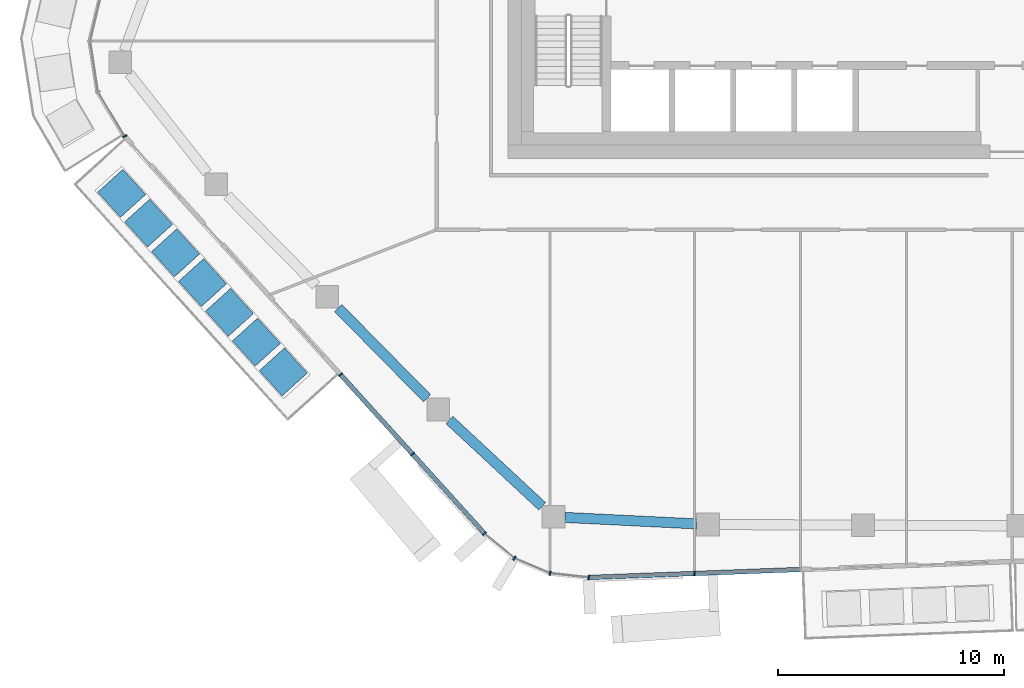
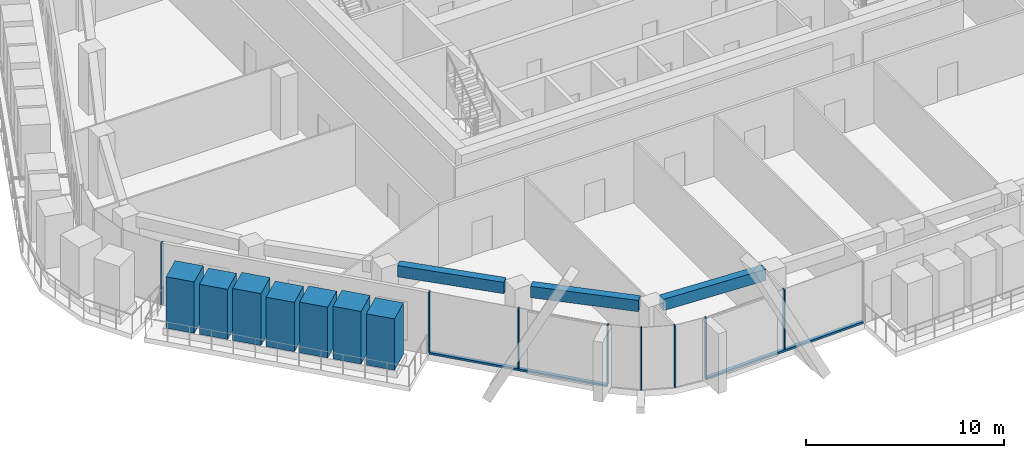
# One storey, part 2 of 24: 17 members, 3 beams, 4 elements without a shape of their own.
"""IFC4 building model written with IfcOpenShell, lengths in metres."""

from ifc_helpers import new_model, si_unit, direction, frame, origin, origin_2d, place, context, subcontext, project, spatial, rectangle, extrude, material, layer, layer_set, material_profile, profile_set, type_object, element, aggregate, save


model = new_model("IFC4")

# Units and contexts
model_context = context("Model", 3, precision=1e-05, world=origin(), true_north=direction((0.0, 1.0)))
body_context = subcontext(model_context, "Body", "Model", "MODEL_VIEW")
ifc_project = project(units=[si_unit("LENGTHUNIT", "METRE"), si_unit("AREAUNIT", "SQUARE_METRE"), si_unit("VOLUMEUNIT", "CUBIC_METRE"), si_unit("PLANEANGLEUNIT", "RADIAN"), si_unit("MASSUNIT", "GRAM", prefix="KILO")], contexts=[model_context])

# Site, building, storey
site_placement = place(None, origin())
site = spatial("IfcSite", under=ifc_project, at=site_placement, CompositionType="ELEMENT")
building_placement = place(site_placement, origin())
building = spatial("IfcBuilding", under=site, at=building_placement, Name="Dongbaek Canopy Tower", CompositionType="ELEMENT")
storey_placement = place(building_placement, frame((0.0, 0.0, 311.0)))
storey = spatial("IfcBuildingStorey", under=building, at=storey_placement, Name="L66", CompositionType="ELEMENT", Elevation=311.0)

# Curtain wall, member
ifc_material_1 = material(Name="Aluminium 6063-T6 pale anodised", Category="aluminium")
ifc_layer = layer(ifc_material_1, 0.199951171875)
ifc_layer_set = layer_set([ifc_layer], Name="CW-1 unitised tower curtain wall")
curtain_wall_type = type_object("IfcCurtainWallType", Name="CW-1 unitised tower curtain wall", PredefinedType="NOTDEFINED", material=ifc_layer_set)
curtain_wall_1_placement = place(storey_placement, origin())
curtain_wall_1 = element("IfcCurtainWall", 1, at=curtain_wall_1_placement, inside=storey, type_object=curtain_wall_type, Name="CW-1 curtain wall K3.1", PredefinedType="NOTDEFINED")
ifc_material_2 = material(Name="Aluminium 6063-T6 pale anodised", Category="aluminium")
ifc_material_profile_1 = material_profile(ifc_material_2, rectangle(XDim=0.199951171875, YDim=0.06005859375, at=origin_2d()), Name="CW-1 mullion 60 x 200")
ifc_profile_set_1 = profile_set([ifc_material_profile_1], Name="Aluminium 6063-T6 pale anodised")
member_type_1 = type_object("IfcMemberType", Name="CW-1 mullion 60 x 200", PredefinedType="MULLION", material=ifc_profile_set_1)
member_1_placement = place(storey_placement, frame((-30.925537109375, -10.022705078125, 0.0), z_axis=(0.0, 0.0, 1.0), x_axis=(-0.856801523031, -0.51564634211, 0.0)))
member_1 = element("IfcMember", 2, at=member_1_placement, type_object=member_type_1, Name="CW-1 mullion K3.1.4", PredefinedType="MULLION", context=body_context, shape_type="SweptSolid", body=[
    extrude(rectangle(XDim=0.199951171875, YDim=0.06005859375, at=origin_2d()), origin(), (0.0, 0.0, 1.0), 3.820068359375),
])
aggregate(curtain_wall_1, [member_1])

# Curtain wall, members
curtain_wall_2_placement = place(storey_placement, origin())
curtain_wall_2 = element("IfcCurtainWall", 3, at=curtain_wall_2_placement, inside=storey, type_object=curtain_wall_type, Name="CW-1 curtain wall F3.1", PredefinedType="NOTDEFINED")
member_2_placement = place(storey_placement, frame((-21.392822265625, -20.550048828125, 0.1201171875), z_axis=(0.0, 0.0, 1.0), x_axis=(-0.741254096478, -0.671224526112, 0.0)))
member_2 = element("IfcMember", 4, at=member_2_placement, type_object=member_type_1, Name="CW-1 mullion F3.1.1", PredefinedType="MULLION", context=body_context, shape_type="SweptSolid", body=[
    extrude(rectangle(XDim=0.199951171875, YDim=0.06005859375, at=origin_2d()), origin(), (0.0, 0.0, 1.0), 3.699951171875),
])
member_3_placement = place(storey_placement, frame((-18.213134765625, -24.0615234375, 0.1201171875), z_axis=(0.0, 0.0, 1.0), x_axis=(-0.741254096478, -0.671224526112, 0.0)))
member_3 = element("IfcMember", 5, at=member_3_placement, type_object=member_type_1, Name="CW-1 mullion F3.1.2", PredefinedType="MULLION", context=body_context, shape_type="SweptSolid", body=[
    extrude(rectangle(XDim=0.199951171875, YDim=0.06005859375, at=origin_2d()), origin(), (0.0, 0.0, 1.0), 3.699951171875),
])
member_4_placement = place(storey_placement, frame((-15.038330078125, -27.567626953125, 0.1201171875), z_axis=(0.0, 0.0, 1.0), x_axis=(-0.741254096478, -0.671224526112, 0.0)))
member_4 = element("IfcMember", 6, at=member_4_placement, type_object=member_type_1, Name="CW-1 mullion F3.1.3", PredefinedType="MULLION", context=body_context, shape_type="SweptSolid", body=[
    extrude(rectangle(XDim=0.199951171875, YDim=0.06005859375, at=origin_2d()), origin(), (0.0, 0.0, 1.0), 3.699951171875),
])

curtain_wall_3_placement = place(storey_placement, origin())
curtain_wall_3 = element("IfcCurtainWall", 7, at=curtain_wall_3_placement, inside=storey, type_object=curtain_wall_type, Name="CW-1 curtain wall K4.1", PredefinedType="NOTDEFINED")
member_5_placement = place(storey_placement, frame((-13.71337890625, -28.66015625, 0.0), z_axis=(0.0, 0.0, 1.0), x_axis=(-0.517606246917, -0.855618941558, 0.0)))
member_5 = element("IfcMember", 8, at=member_5_placement, type_object=member_type_1, Name="CW-1 mullion K4.1.2", PredefinedType="MULLION", context=body_context, shape_type="SweptSolid", body=[
    extrude(rectangle(XDim=0.199951171875, YDim=0.06005859375, at=origin_2d()), origin(), (0.0, 0.0, 1.0), 3.820068359375),
])
member_6_placement = place(storey_placement, frame((-12.137451171875, -29.32373046875, 0.0), z_axis=(0.0, 0.0, 1.0), x_axis=(-0.25046929591, -0.968124543541, 0.0)))
member_6 = element("IfcMember", 9, at=member_6_placement, type_object=member_type_1, Name="CW-1 mullion K4.1.3", PredefinedType="MULLION", context=body_context, shape_type="SweptSolid", body=[
    extrude(rectangle(XDim=0.199951171875, YDim=0.06005859375, at=origin_2d()), origin(), (0.0, 0.0, 1.0), 3.820068359375),
])
member_7_placement = place(storey_placement, frame((-10.43017578125, -29.50830078125, 0.0), z_axis=(0.0, 0.0, 1.0), x_axis=(-0.107513799439, -0.994203592294, 0.0)))
member_7 = element("IfcMember", 10, at=member_7_placement, type_object=member_type_1, Name="CW-1 mullion K4.1.4", PredefinedType="MULLION", context=body_context, shape_type="SweptSolid", body=[
    extrude(rectangle(XDim=0.199951171875, YDim=0.06005859375, at=origin_2d()), origin(), (0.0, 0.0, 1.0), 3.820068359375),
])
aggregate(curtain_wall_3, [member_5, member_6, member_7])

# Curtain wall, member
curtain_wall_4_placement = place(storey_placement, origin())
curtain_wall_4 = element("IfcCurtainWall", 11, at=curtain_wall_4_placement, inside=storey, type_object=curtain_wall_type, Name="CW-1 curtain wall F4.1", PredefinedType="NOTDEFINED")
member_8_placement = place(storey_placement, frame((-5.75830078125, -29.33203125, 0.1201171875), z_axis=(0.0, 0.0, 1.0), x_axis=(0.037712000431, -0.999288649502, 0.0)))
member_8 = element("IfcMember", 12, at=member_8_placement, type_object=member_type_1, Name="CW-1 mullion F4.1.2", PredefinedType="MULLION", context=body_context, shape_type="SweptSolid", body=[
    extrude(rectangle(XDim=0.199951171875, YDim=0.06005859375, at=origin_2d()), origin(), (0.0, 0.0, 1.0), 3.699951171875),
])

# Member
ifc_material_3 = material(Name="Aluminium 6063-T6 pale anodised", Category="aluminium")
ifc_material_profile_2 = material_profile(ifc_material_3, rectangle(XDim=0.199951171875, YDim=0.1201171875, at=origin_2d()), Name="CW-1 transom 120 x 200")
ifc_profile_set_2 = profile_set([ifc_material_profile_2], Name="Aluminium 6063-T6 pale anodised")
member_type_2 = type_object("IfcMemberType", Name="CW-1 transom 120 x 200", PredefinedType="USERDEFINED", material=ifc_profile_set_2)
member_9_placement = place(storey_placement, frame((-21.392822265625, -20.550048828125, 0.06005859375), z_axis=(0.671218482557, -0.741259569027, 0.0), x_axis=(0.741259569027, 0.671218482557, 0.0)))
member_9 = element("IfcMember", 13, at=member_9_placement, type_object=member_type_2, Name="CW-1 transom F3.1.1", ObjectType="TRANSOM", PredefinedType="USERDEFINED", context=body_context, shape_type="SweptSolid", body=[
    extrude(rectangle(XDim=0.199951171875, YDim=0.1201171875, at=origin_2d()), origin(), (0.0, 0.0, 1.0), 9.467041015625),
])

aggregate(curtain_wall_2, [member_2, member_3, member_4, member_9])

member_10_placement = place(storey_placement, frame((-10.43017578125, -29.50830078125, 0.06005859375), z_axis=(0.999289151831, 0.037698687424, 0.0), x_axis=(-0.037698687424, 0.999289151831, 0.0)))
member_10 = element("IfcMember", 14, at=member_10_placement, type_object=member_type_2, Name="CW-1 transom F4.1.1", ObjectType="TRANSOM", PredefinedType="USERDEFINED", context=body_context, shape_type="SweptSolid", body=[
    extrude(rectangle(XDim=0.199951171875, YDim=0.1201171875, at=origin_2d()), origin(), (0.0, 0.0, 1.0), 9.35791015625),
])

aggregate(curtain_wall_4, [member_8, member_10])

# Beams
ifc_material_4 = material(Name="Concrete C60", Category="concrete")
ifc_material_profile_3 = material_profile(ifc_material_4, rectangle(XDim=0.449951171875, YDim=0.699951171875, at=origin_2d()), Name="RC EDGE BEAM 450x700 C60")
ifc_profile_set_3 = profile_set([ifc_material_profile_3], Name="Concrete C60")
beam_type = type_object("IfcBeamType", Name="RC EDGE BEAM 450x700 C60", PredefinedType="BEAM", material=ifc_profile_set_3)
beam_1_placement = place(storey_placement, frame((-5.666015625, -27.142333984375, 3.469970703125), z_axis=(-0.998789160621, 0.049195656579, 0.0), x_axis=(-0.049195656579, -0.998789160621, 0.0)))
element("IfcBeam", 15, at=beam_1_placement, inside=storey, type_object=beam_type, Name="EDGEBEAM:L66:03", PredefinedType="BEAM", context=body_context, shape_type="SweptSolid", body=[
    extrude(rectangle(XDim=0.449951171875, YDim=0.699951171875, at=origin_2d()), origin(), (0.0, 0.0, 1.0), 5.826171875),
])
beam_2_placement = place(storey_placement, frame((-12.485107421875, -26.365966796875, 3.469970703125), z_axis=(-0.732266655485, 0.681018021248, 0.0), x_axis=(-0.681018021248, -0.732266655485, 0.0)))
element("IfcBeam", 16, at=beam_2_placement, inside=storey, type_object=beam_type, Name="EDGEBEAM:L66:04", PredefinedType="BEAM", context=body_context, shape_type="SweptSolid", body=[
    extrude(rectangle(XDim=0.449951171875, YDim=0.699951171875, at=origin_2d()), origin(), (0.0, 0.0, 1.0), 5.597412109375),
])
beam_3_placement = place(storey_placement, frame((-17.576416015625, -21.589111328125, 3.469970703125), z_axis=(-0.701706740597, 0.712465894062, 0.0), x_axis=(-0.712465894062, -0.701706740597, 0.0)))
element("IfcBeam", 17, at=beam_3_placement, inside=storey, type_object=beam_type, Name="EDGEBEAM:L66:05", PredefinedType="BEAM", context=body_context, shape_type="SweptSolid", body=[
    extrude(rectangle(XDim=0.449951171875, YDim=0.699951171875, at=origin_2d()), origin(), (0.0, 0.0, 1.0), 5.58203125),
])

# Members
ifc_material_5 = material(Name="Concrete C40/50 planter mass with planting", Category="concrete")
ifc_material_profile_4 = material_profile(ifc_material_5, rectangle(XDim=1.5, YDim=1.5, at=origin_2d()), Name="Terrace PLANTER shrub mass 1500 x 1500")
ifc_profile_set_4 = profile_set([ifc_material_profile_4], Name="Concrete C40/50 planter mass with planting")
member_type_3 = type_object("IfcMemberType", Name="Terrace PLANTER shrub mass 1500 x 1500", PredefinedType="USERDEFINED", material=ifc_profile_set_4)
member_11_placement = place(storey_placement, frame((-31.059814453125, -12.541259765625, 0.419921875), z_axis=(0.0, 0.0, 1.0), x_axis=(-0.741254096478, -0.671224526112, 0.0)))
element("IfcMember", 18, at=member_11_placement, inside=storey, type_object=member_type_3, Name="Planter shrubs L66 3.1", ObjectType="PLANTER", PredefinedType="USERDEFINED", context=body_context, shape_type="SweptSolid", body=[
    extrude(rectangle(XDim=1.5, YDim=1.5, at=origin_2d()), origin(), (0.0, 0.0, 1.0), 3.170166015625),
])
member_12_placement = place(storey_placement, frame((-29.86962890625, -13.855712890625, 0.419921875), z_axis=(0.0, 0.0, 1.0), x_axis=(-0.741254096478, -0.671224526112, 0.0)))
element("IfcMember", 19, at=member_12_placement, inside=storey, type_object=member_type_3, Name="Planter shrubs L66 3.2", ObjectType="PLANTER", PredefinedType="USERDEFINED", context=body_context, shape_type="SweptSolid", body=[
    extrude(rectangle(XDim=1.5, YDim=1.5, at=origin_2d()), origin(), (0.0, 0.0, 1.0), 3.090087890625),
])
member_13_placement = place(storey_placement, frame((-28.679443359375, -15.169921875, 0.419921875), z_axis=(0.0, 0.0, 1.0), x_axis=(-0.741254096478, -0.671224526112, 0.0)))
element("IfcMember", 20, at=member_13_placement, inside=storey, type_object=member_type_3, Name="Planter shrubs L66 3.3", ObjectType="PLANTER", PredefinedType="USERDEFINED", context=body_context, shape_type="SweptSolid", body=[
    extrude(rectangle(XDim=1.5, YDim=1.5, at=origin_2d()), origin(), (0.0, 0.0, 1.0), 3.2099609375),
])
member_14_placement = place(storey_placement, frame((-27.4892578125, -16.484375, 0.419921875), z_axis=(0.0, 0.0, 1.0), x_axis=(-0.741254096478, -0.671224526112, 0.0)))
element("IfcMember", 21, at=member_14_placement, inside=storey, type_object=member_type_3, Name="Planter shrubs L66 3.4", ObjectType="PLANTER", PredefinedType="USERDEFINED", context=body_context, shape_type="SweptSolid", body=[
    extrude(rectangle(XDim=1.5, YDim=1.5, at=origin_2d()), origin(), (0.0, 0.0, 1.0), 3.050048828125),
])
member_15_placement = place(storey_placement, frame((-26.29931640625, -17.798583984375, 0.419921875), z_axis=(0.0, 0.0, 1.0), x_axis=(-0.741254096478, -0.671224526112, 0.0)))
element("IfcMember", 22, at=member_15_placement, inside=storey, type_object=member_type_3, Name="Planter shrubs L66 3.5", ObjectType="PLANTER", PredefinedType="USERDEFINED", context=body_context, shape_type="SweptSolid", body=[
    extrude(rectangle(XDim=1.5, YDim=1.5, at=origin_2d()), origin(), (0.0, 0.0, 1.0), 3.130126953125),
])
member_16_placement = place(storey_placement, frame((-25.109130859375, -19.113037109375, 0.419921875), z_axis=(0.0, 0.0, 1.0), x_axis=(-0.741254096478, -0.671224526112, 0.0)))
element("IfcMember", 23, at=member_16_placement, inside=storey, type_object=member_type_3, Name="Planter shrubs L66 3.6", ObjectType="PLANTER", PredefinedType="USERDEFINED", context=body_context, shape_type="SweptSolid", body=[
    extrude(rectangle(XDim=1.5, YDim=1.5, at=origin_2d()), origin(), (0.0, 0.0, 1.0), 3.25),
])
member_17_placement = place(storey_placement, frame((-23.9189453125, -20.42724609375, 0.419921875), z_axis=(0.0, 0.0, 1.0), x_axis=(-0.741254096478, -0.671224526112, 0.0)))
element("IfcMember", 24, at=member_17_placement, inside=storey, type_object=member_type_3, Name="Planter shrubs L66 3.7", ObjectType="PLANTER", PredefinedType="USERDEFINED", context=body_context, shape_type="SweptSolid", body=[
    extrude(rectangle(XDim=1.5, YDim=1.5, at=origin_2d()), origin(), (0.0, 0.0, 1.0), 3.170166015625),
])

save(model, "model.ifc")
